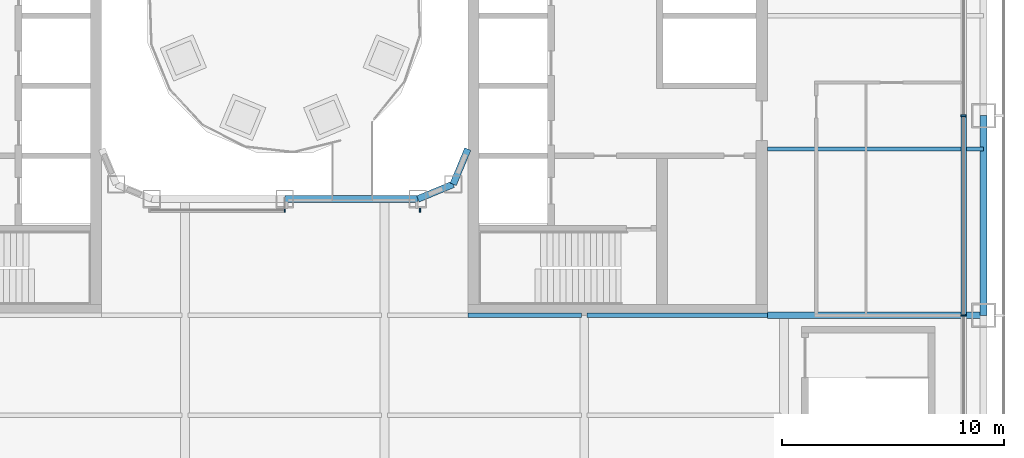
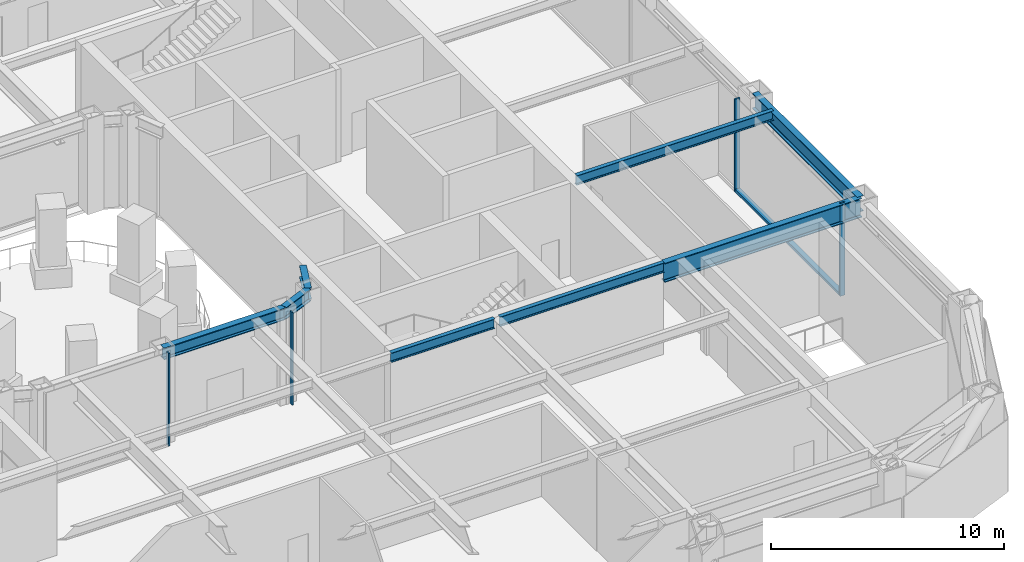
# One storey, part 5 of 25: 8 beams, 5 members, 2 elements without a shape of their own.
"""IFC4 building model written with IfcOpenShell, lengths in metres."""

from ifc_helpers import new_model, si_unit, direction, frame, origin, origin_2d, place, context, subcontext, project, spatial, rectangle, i_section, extrude, material, layer, layer_set, material_profile, profile_set, type_object, element, aggregate, save


model = new_model("IFC4")

# Units and contexts
model_context = context("Model", 3, precision=1e-05, world=origin(), true_north=direction((0.0, 1.0)))
body_context = subcontext(model_context, "Body", "Model", "MODEL_VIEW")
ifc_project = project(units=[si_unit("LENGTHUNIT", "METRE"), si_unit("AREAUNIT", "SQUARE_METRE"), si_unit("VOLUMEUNIT", "CUBIC_METRE"), si_unit("PLANEANGLEUNIT", "RADIAN"), si_unit("MASSUNIT", "GRAM", prefix="KILO")], contexts=[model_context])

# Site, building, storey
site_placement = place(None, origin())
site = spatial("IfcSite", under=ifc_project, at=site_placement, CompositionType="ELEMENT")
building_placement = place(site_placement, origin())
building = spatial("IfcBuilding", under=site, at=building_placement, Name="Siwar Civic Tower", CompositionType="ELEMENT")
storey_placement = place(building_placement, frame((0.0, 0.0, 17.199951171875)))
storey = spatial("IfcBuildingStorey", under=building, at=storey_placement, Name="L03", CompositionType="ELEMENT", Elevation=17.199951171875)

# Curtain wall, members
ifc_material_1 = material(Name="Aluminium and glass", Category="aluminium")
ifc_layer_1 = layer(ifc_material_1, 0.25)
ifc_layer_set_1 = layer_set([ifc_layer_1], Name="Aluminium and glass")
curtain_wall_type_1 = type_object("IfcCurtainWallType", Name="ENV-CW-H", PredefinedType="NOTDEFINED", material=ifc_layer_set_1)
curtain_wall_1_placement = place(storey_placement, origin())
curtain_wall_1 = element("IfcCurtainWall", 1, at=curtain_wall_1_placement, inside=storey, type_object=curtain_wall_type_1, Name="Curtain wall H E", PredefinedType="NOTDEFINED")
ifc_material_2 = material(Name="Aluminium 6063-T6", Category="aluminium")
ifc_material_profile_1 = material_profile(ifc_material_2, rectangle(XDim=0.25, YDim=0.080078125, at=origin_2d()), Name="AL 250x80")
ifc_profile_set_1 = profile_set([ifc_material_profile_1], Name="Aluminium 6063-T6")
member_type_1 = type_object("IfcMemberType", Name="ENV-MULLION-H", PredefinedType="MULLION", material=ifc_profile_set_1)
member_1_placement = place(storey_placement, frame((30.60009765625, -13.5, 0.0), z_axis=(0.0, 0.0, 1.0), x_axis=(-1.0, 0.0, 0.0)))
member_1 = element("IfcMember", 2, at=member_1_placement, type_object=member_type_1, Name="Mullion H E 2", PredefinedType="MULLION", context=body_context, shape_type="SweptSolid", body=[
    extrude(rectangle(XDim=0.25, YDim=0.080078125, at=origin_2d()), origin(), (0.0, 0.0, 1.0), 4.85009765625),
])
member_2_placement = place(storey_placement, frame((30.60009765625, -4.5, 0.0), z_axis=(0.0, 0.0, 1.0), x_axis=(-1.0, 0.0, 0.0)))
member_2 = element("IfcMember", 3, at=member_2_placement, type_object=member_type_1, Name="Mullion H E 3", PredefinedType="MULLION", context=body_context, shape_type="SweptSolid", body=[
    extrude(rectangle(XDim=0.25, YDim=0.080078125, at=origin_2d()), origin(), (0.0, 0.0, 1.0), 4.85009765625),
])

ifc_material_3 = material(Name="Aluminium and glass", Category="aluminium")
ifc_layer_2 = layer(ifc_material_3, 0.179931640625)
ifc_layer_set_2 = layer_set([ifc_layer_2], Name="Aluminium and glass")
curtain_wall_type_2 = type_object("IfcCurtainWallType", Name="ENV-CW-W", PredefinedType="NOTDEFINED", material=ifc_layer_set_2)
curtain_wall_2_placement = place(storey_placement, origin())
curtain_wall_2 = element("IfcCurtainWall", 4, at=curtain_wall_2_placement, inside=storey, type_object=curtain_wall_type_2, Name="Curtain wall W WS", PredefinedType="NOTDEFINED")
ifc_material_4 = material(Name="Aluminium 6063-T6", Category="aluminium")
ifc_material_profile_2 = material_profile(ifc_material_4, rectangle(XDim=0.179931640625, YDim=0.06005859375, at=origin_2d()), Name="AL 180x60")
ifc_profile_set_2 = profile_set([ifc_material_profile_2], Name="Aluminium 6063-T6")
member_type_2 = type_object("IfcMemberType", Name="ENV-MULLION-W", PredefinedType="MULLION", material=ifc_profile_set_2)
member_3_placement = place(storey_placement, frame((0.0, -8.760009765625, 0.0), z_axis=(0.0, 0.0, 1.0), x_axis=(0.0, 1.0, 0.0)))
member_3 = element("IfcMember", 5, at=member_3_placement, type_object=member_type_2, Name="Mullion W WS 2", PredefinedType="MULLION", context=body_context, shape_type="SweptSolid", body=[
    extrude(rectangle(XDim=0.179931640625, YDim=0.06005859375, at=origin_2d()), origin(), (0.0, 0.0, 1.0), 4.85009765625),
])
member_4_placement = place(storey_placement, frame((6.1015625, -8.760009765625, 0.0), z_axis=(0.0, 0.0, 1.0), x_axis=(0.0, 1.0, 0.0)))
member_4 = element("IfcMember", 6, at=member_4_placement, type_object=member_type_2, Name="Mullion W WS 3", PredefinedType="MULLION", context=body_context, shape_type="SweptSolid", body=[
    extrude(rectangle(XDim=0.179931640625, YDim=0.06005859375, at=origin_2d()), origin(), (0.0, 0.0, 1.0), 4.85009765625),
])
aggregate(curtain_wall_2, [member_3, member_4])

# Member
ifc_material_5 = material(Name="Aluminium 6063-T6", Category="aluminium")
ifc_material_profile_3 = material_profile(ifc_material_5, rectangle(XDim=0.25, YDim=0.139892578125, at=origin_2d()), Name="AL 250x140")
ifc_profile_set_3 = profile_set([ifc_material_profile_3], Name="Aluminium 6063-T6")
member_type_3 = type_object("IfcMemberType", Name="ENV-TRANSOM-H", PredefinedType="USERDEFINED", material=ifc_profile_set_3)
member_5_placement = place(storey_placement, frame((30.60009765625, -13.4599609375, 0.070068359375), z_axis=(0.0, 1.0, 0.0), x_axis=(-1.0, 0.0, 0.0)))
member_5 = element("IfcMember", 7, at=member_5_placement, type_object=member_type_3, Name="Transom H E 2", ObjectType="TRANSOM", PredefinedType="USERDEFINED", context=body_context, shape_type="SweptSolid", body=[
    extrude(rectangle(XDim=0.25, YDim=0.139892578125, at=origin_2d()), origin(), (0.0, 0.0, 1.0), 8.919921875),
])

aggregate(curtain_wall_1, [member_1, member_2, member_5])

# Beams
ifc_material_6 = material(Name="Steel S355", Category="steel")
ifc_material_profile_4 = material_profile(ifc_material_6, i_section(OverallWidth=0.199951171875, OverallDepth=0.5, WebThickness=0.01025390625, FlangeThickness=0.01611328125, FilletRadius=0.02099609375, at=origin_2d()), Name="IPE500")
ifc_profile_set_4 = profile_set([ifc_material_profile_4], Name="Steel S355")
beam_type_1 = type_object("IfcBeamType", Name="STR-FB-IPE500", PredefinedType="JOIST", material=ifc_profile_set_4)
beam_1_placement = place(storey_placement, frame((8.25, -13.5, 4.60009765625), z_axis=(1.0, 0.0, 0.0), x_axis=(0.0, 1.0, 0.0)))
element("IfcBeam", 8, at=beam_1_placement, inside=storey, type_object=beam_type_1, Name="L03/bm/F026", PredefinedType="JOIST", context=body_context, shape_type="SweptSolid", body=[
    extrude(i_section(OverallWidth=0.199951171875, OverallDepth=0.5, WebThickness=0.01025390625, FlangeThickness=0.01611328125, FilletRadius=0.02099609375, at=origin_2d()), origin(), (0.0, 0.0, 1.0), 5.1201171875),
])
beam_2_placement = place(storey_placement, frame((13.6298828125, -13.5, 4.60009765625), z_axis=(1.0, 0.0, 0.0), x_axis=(0.0, 1.0, 0.0)))
element("IfcBeam", 9, at=beam_2_placement, inside=storey, type_object=beam_type_1, Name="L03/bm/F027", PredefinedType="JOIST", context=body_context, shape_type="SweptSolid", body=[
    extrude(i_section(OverallWidth=0.199951171875, OverallDepth=0.5, WebThickness=0.01025390625, FlangeThickness=0.01611328125, FilletRadius=0.02099609375, at=origin_2d()), origin(), (0.0, 0.0, 1.0), 8.1201171875),
])
beam_3_placement = place(storey_placement, frame((21.75, -6.0, 4.60009765625), z_axis=(1.0, 0.0, 0.0), x_axis=(0.0, 1.0, 0.0)))
element("IfcBeam", 10, at=beam_3_placement, inside=storey, type_object=beam_type_1, Name="L03/bm/F030", PredefinedType="JOIST", context=body_context, shape_type="SweptSolid", body=[
    extrude(i_section(OverallWidth=0.199951171875, OverallDepth=0.5, WebThickness=0.01025390625, FlangeThickness=0.01611328125, FilletRadius=0.02099609375, at=origin_2d()), origin(), (0.0, 0.0, 1.0), 9.75),
])
ifc_material_7 = material(Name="Steel S355", Category="steel")
ifc_material_profile_5 = material_profile(ifc_material_7, i_section(OverallWidth=0.300048828125, OverallDepth=1.0, WebThickness=0.01904296875, FlangeThickness=0.035888671875, FilletRadius=0.030029296875, at=origin_2d()), Name="HEB1000")
ifc_profile_set_5 = profile_set([ifc_material_profile_5], Name="Steel S355")
beam_type_2 = type_object("IfcBeamType", Name="STR-PG-HEB1000", PredefinedType="BEAM", material=ifc_profile_set_5)
beam_4_placement = place(storey_placement, frame((21.75, -13.5, 4.35009765625), z_axis=(1.0, 0.0, 0.0), x_axis=(0.0, 1.0, 0.0)))
element("IfcBeam", 11, at=beam_4_placement, inside=storey, type_object=beam_type_2, Name="L03/bm/F028", PredefinedType="BEAM", context=body_context, shape_type="SweptSolid", body=[
    extrude(i_section(OverallWidth=0.300048828125, OverallDepth=1.0, WebThickness=0.01904296875, FlangeThickness=0.035888671875, FilletRadius=0.030029296875, at=origin_2d()), origin(), (0.0, 0.0, 1.0), 9.75),
])
ifc_material_8 = material(Name="Steel S355", Category="steel")
ifc_material_profile_6 = material_profile(ifc_material_8, i_section(OverallWidth=0.304931640625, OverallDepth=0.6201171875, WebThickness=0.02099609375, FlangeThickness=0.0400390625, FilletRadius=0.027099609375, at=origin_2d()), Name="HEM600")
ifc_profile_set_6 = profile_set([ifc_material_profile_6], Name="Steel S355")
beam_type_3 = type_object("IfcBeamType", Name="STR-RB-HEM600", PredefinedType="BEAM", material=ifc_profile_set_6)
beam_5_placement = place(storey_placement, frame((0.0, -8.25, 4.5400390625), z_axis=(1.0, 0.0, 0.0), x_axis=(0.0, 1.0, 0.0)))
element("IfcBeam", 12, at=beam_5_placement, inside=storey, type_object=beam_type_3, Name="L03/bm/RS2", PredefinedType="BEAM", context=body_context, shape_type="SweptSolid", body=[
    extrude(i_section(OverallWidth=0.304931640625, OverallDepth=0.6201171875, WebThickness=0.02099609375, FlangeThickness=0.0400390625, FilletRadius=0.027099609375, at=origin_2d()), origin(), (0.0, 0.0, 1.0), 6.0),
])
for number, where, z_axis, x_axis, name in (
    (13, (6.0, -8.25, 4.5400390625), (0.923901072997, 0.382631424892, 0.0), (-0.382631424892, 0.923901072997, 0.0), "L03/bm/RS3"),
    (14, (7.591064453125, -7.591064453125, 4.5400390625), (0.382631424892, 0.923901072997, 0.0), (-0.923901072997, 0.382631424892, 0.0), "L03/bm/RSEE"),
):
    element("IfcBeam", number, at=place(storey_placement, frame(where, z_axis=z_axis, x_axis=x_axis)), inside=storey, type_object=beam_type_3, Name=name, PredefinedType="BEAM", context=body_context, shape_type="SweptSolid", body=[
        extrude(i_section(OverallWidth=0.304931640625, OverallDepth=0.6201171875, WebThickness=0.02099609375, FlangeThickness=0.0400390625, FilletRadius=0.027099609375, at=origin_2d()), origin(), (0.0, 0.0, 1.0), 1.72216796875),
    ])
ifc_material_9 = material(Name="Steel S355", Category="steel")
ifc_material_profile_7 = material_profile(ifc_material_9, i_section(OverallWidth=0.302978515625, OverallDepth=0.81396484375, WebThickness=0.02099609375, FlangeThickness=0.0400390625, FilletRadius=0.030029296875, at=origin_2d()), Name="HEM800")
ifc_profile_set_7 = profile_set([ifc_material_profile_7], Name="Steel S355")
beam_type_4 = type_object("IfcBeamType", Name="STR-SB-HEM800", PredefinedType="BEAM", material=ifc_profile_set_7)
beam_6_placement = place(storey_placement, frame((31.5, -13.5, 4.443115234375), z_axis=(0.0, 1.0, 0.0), x_axis=(-1.0, 0.0, 0.0)))
element("IfcBeam", 15, at=beam_6_placement, inside=storey, type_object=beam_type_4, Name="L03/bm/SE-1", PredefinedType="BEAM", context=body_context, shape_type="SweptSolid", body=[
    extrude(i_section(OverallWidth=0.302978515625, OverallDepth=0.81396484375, WebThickness=0.02099609375, FlangeThickness=0.0400390625, FilletRadius=0.030029296875, at=origin_2d()), origin(), (0.0, 0.0, 1.0), 9.0),
])

save(model, "model.ifc")
